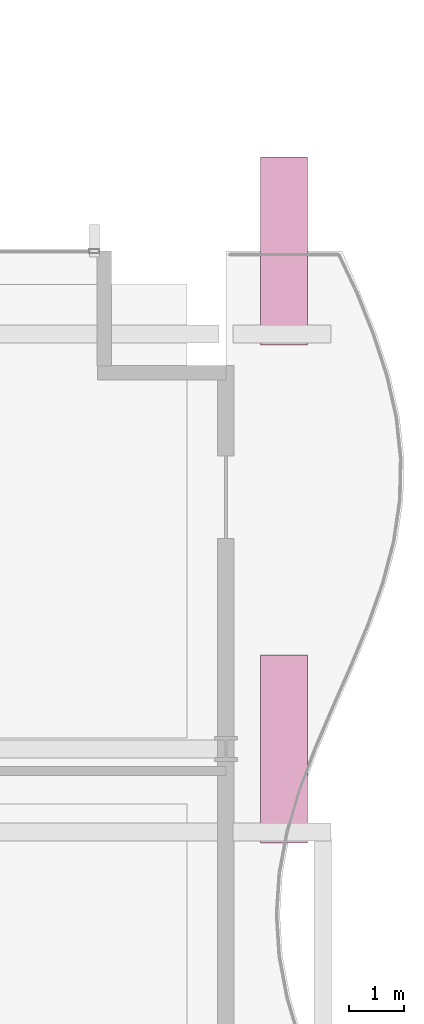
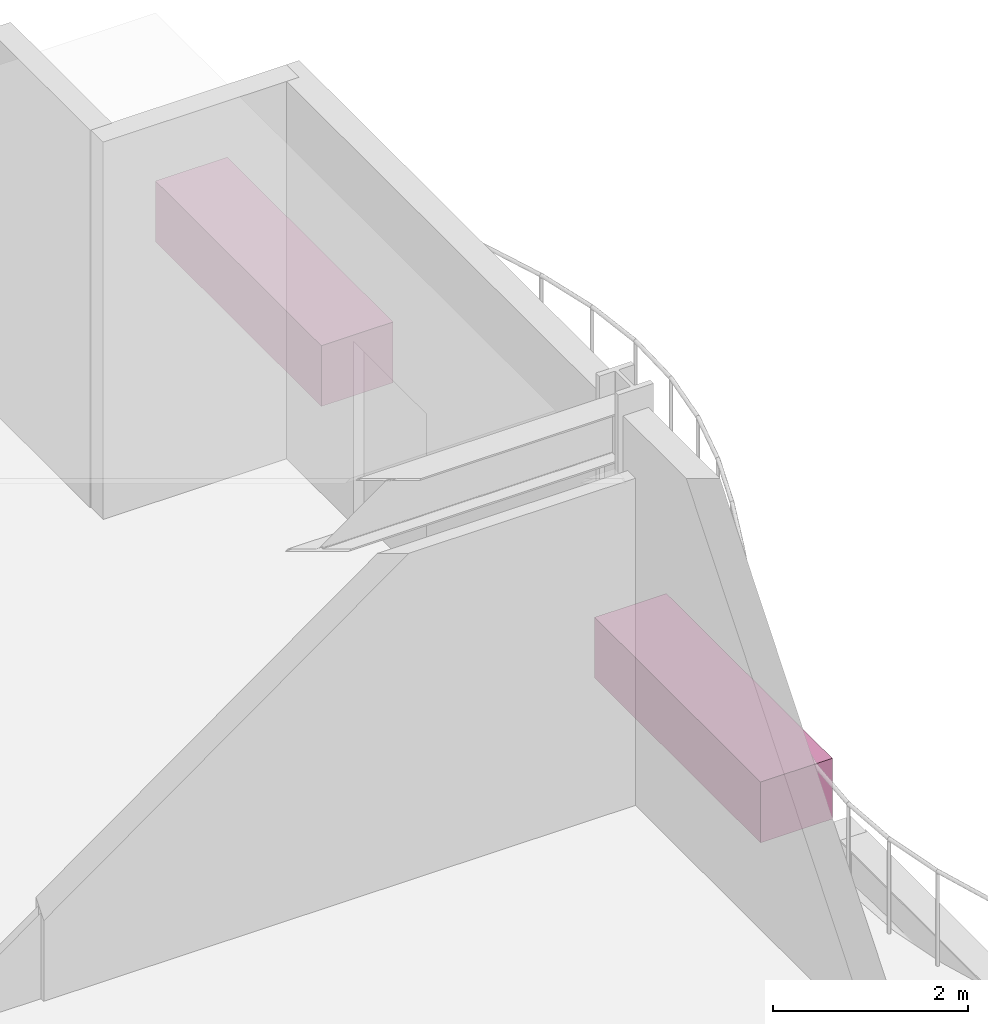
# One storey, part 33 of 33: 2 furnishings.
"""IFC4 building model written with IfcOpenShell, lengths in metres."""

from ifc_helpers import new_model, si_unit, direction, frame, origin, origin_2d, place, context, subcontext, project, spatial, rectangle, extrude, material, type_object, element, save


model = new_model("IFC4")

# Units and contexts
model_context = context("Model", 3, precision=1e-05, world=origin(), true_north=direction((0.0, 1.0)))
body_context = subcontext(model_context, "Body", "Model", "MODEL_VIEW")
ifc_project = project(units=[si_unit("LENGTHUNIT", "METRE"), si_unit("AREAUNIT", "SQUARE_METRE"), si_unit("VOLUMEUNIT", "CUBIC_METRE"), si_unit("PLANEANGLEUNIT", "RADIAN"), si_unit("MASSUNIT", "GRAM", prefix="KILO")], contexts=[model_context])

# Site, building, storey
site_placement = place(None, origin())
site = spatial("IfcSite", under=ifc_project, at=site_placement, CompositionType="ELEMENT")
building_placement = place(site_placement, origin())
building = spatial("IfcBuilding", under=site, at=building_placement, Name="Solvaryn Broadcast Tower", CompositionType="ELEMENT")
storey_placement = place(building_placement, frame((0.0, 0.0, 105.0)))
storey = spatial("IfcBuildingStorey", under=building, at=storey_placement, Name="L25", CompositionType="ELEMENT", Elevation=105.0)

# Furnishings
ifc_material = material(Name="Architectural Terracotta Planter Bed", Category="masonry")
furnishing_element_type = type_object("IfcFurnishingElementType", Name="PLB-01 Garden Planter Bed", material=ifc_material)
for number, where, z_axis, x_axis, name in (
    (1, (55.050048828125, 18.0, 0.0), (0.0, 0.0, 1.0), (1.0, 0.0, 0.0), "L25 Planted Terrace Planter PLANTER-TS-SG-L25-1"),
    (2, (55.050048828125, 27.0, 0.0), (0.0, 0.0, 1.0), (1.0, 0.0, 0.0), "L25 Planted Terrace Planter PLANTER-TS-SG-L25-2"),
):
    element("IfcFurnishingElement", number, at=place(storey_placement, frame(where, z_axis=z_axis, x_axis=x_axis)), inside=storey, type_object=furnishing_element_type, Name=name, ObjectType="PLANTER", context=body_context, shape_type="SweptSolid", body=[
        extrude(rectangle(XDim=0.85009765625, YDim=3.39990234375, at=origin_2d()), origin(), (0.0, 0.0, 1.0), 0.760009765625),
    ])

save(model, "model.ifc")
